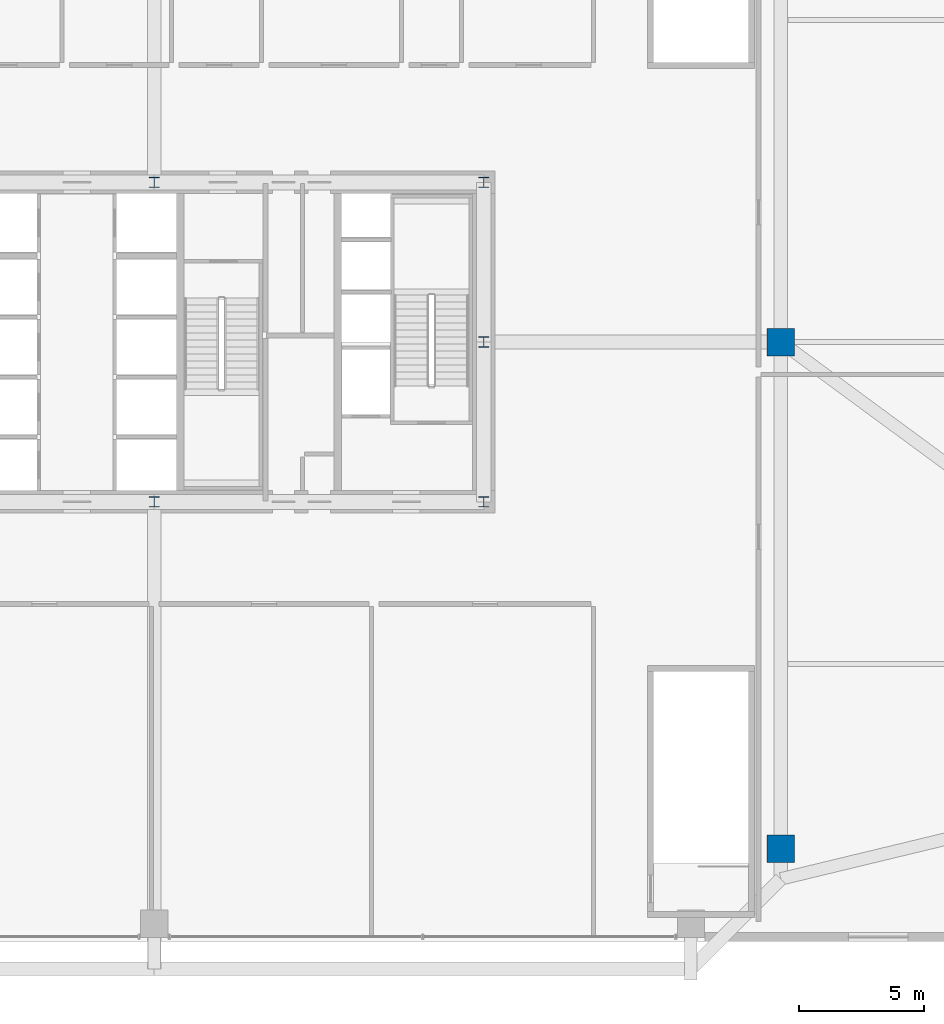
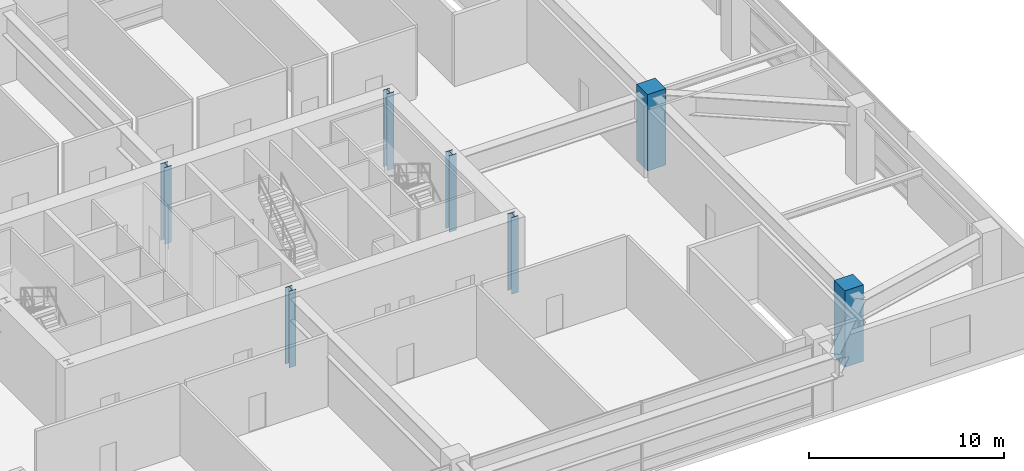
# One storey, part 2 of 34: 7 columns.
"""IFC4 building model written with IfcOpenShell, lengths in metres."""

import ifcopenshell
import ifcopenshell.guid

model = None  # the IFC model being written
_history = None  # IfcOwnerHistory: only IFC2X3 demands one
_inside = {}  # id of a spatial element -> (the spatial element, [elements in it])
_under = {}  # id of a project, library or spatial element -> (it, [spatial elements below it])
_declared = {}  # id of a project -> (the project, [libraries it declares])
_typed = {}  # id of a type object -> (the type object, [elements of that type])
_made_of = {}  # id of a material, layer set ... -> (it, [elements and type objects made of it])


def new_model(schema):
    """Start an empty IFC model of exactly this schema.

    Asked for "IFC4X3", IfcOpenShell would pick the latest addendum, in which some entities
    have other attributes; the version numbers below select the first issue.
    IFC2X3 requires an IfcOwnerHistory on every rooted entity: one is made here for all.
    """
    global model, _history
    if schema == "IFC4X3":
        model = ifcopenshell.file(schema_version=(4, 3, 0, 0))
    else:
        model = ifcopenshell.file(schema=schema)
    _inside.clear()
    _under.clear()
    _declared.clear()
    _typed.clear()
    _made_of.clear()
    _history = None
    if model.schema == "IFC2X3":
        org = make("IfcOrganization", Name="unknown")
        user = make(
            "IfcPersonAndOrganization",
            ThePerson=make("IfcPerson", FamilyName="unknown"),
            TheOrganization=org,
        )
        app = make(
            "IfcApplication",
            ApplicationDeveloper=org,
            Version="unknown",
            ApplicationFullName="unknown",
            ApplicationIdentifier="unknown",
        )
        _history = make(
            "IfcOwnerHistory",
            OwningUser=user,
            OwningApplication=app,
            ChangeAction="ADDED",
            CreationDate=0,
        )
    return model


def make(cls, **values):
    """One entity of the class cls with the attributes given. An attribute that is None is left unset."""
    return model.create_entity(
        cls, **{name: value for name, value in values.items() if value is not None}
    )


def rooted(cls, **values):
    """An entity with a GlobalId (a new one), such as an element, a storey or a relation."""
    return make(cls, GlobalId=ifcopenshell.guid.new(), OwnerHistory=_history, **values)


def si_unit(unit_type, name, prefix=None):
    """IfcSIUnit, for example si_unit("LENGTHUNIT", "METRE", prefix="MILLI")."""
    return make("IfcSIUnit", UnitType=unit_type, Prefix=prefix, Name=name)


def assignment(units):
    """IfcUnitAssignment: the units of a project."""
    return None if units is None else make("IfcUnitAssignment", Units=units)


def point(xyz):
    """IfcCartesianPoint."""
    return None if xyz is None else make("IfcCartesianPoint", Coordinates=xyz)


def direction(xyz):
    """IfcDirection."""
    return None if xyz is None else make("IfcDirection", DirectionRatios=xyz)


def frame(location, z_axis=None, x_axis=None):
    """IfcAxis2Placement3D, a coordinate frame: its origin and axes. An axis left out is left unset."""
    return make(
        "IfcAxis2Placement3D",
        Location=point(location),
        Axis=direction(z_axis),
        RefDirection=direction(x_axis),
    )


def frame_2d(location, x_axis=None):
    """IfcAxis2Placement2D, a coordinate frame in the plane: its origin and x axis."""
    return make(
        "IfcAxis2Placement2D", Location=point(location), RefDirection=direction(x_axis)
    )


def origin():
    """The frame at (0, 0, 0) with its axes left unset."""
    return frame((0.0, 0.0, 0.0))


def origin_2d():
    """The frame at (0, 0) in the plane with its x axis left unset."""
    return frame_2d((0.0, 0.0))


def place(relative_to, where):
    """IfcLocalPlacement: puts the frame where relative to a parent placement (None: the world)."""
    return make(
        "IfcLocalPlacement", PlacementRelTo=relative_to, RelativePlacement=where
    )


def context(
    kind, dimensions, precision=None, world=None, true_north=None, identifier=None
):
    """IfcGeometricRepresentationContext, for example the 3D "Model" context."""
    return make(
        "IfcGeometricRepresentationContext",
        ContextIdentifier=identifier,
        ContextType=kind,
        CoordinateSpaceDimension=dimensions,
        Precision=precision,
        WorldCoordinateSystem=world,
        TrueNorth=true_north,
    )


def subcontext(parent, identifier, kind, view, scale=None):
    """IfcGeometricRepresentationSubContext, for example "Body" below "Model"."""
    return make(
        "IfcGeometricRepresentationSubContext",
        ContextIdentifier=identifier,
        ContextType=kind,
        ParentContext=parent,
        TargetScale=scale,
        TargetView=view,
    )


def project(units=None, contexts=None):
    """IfcProject with its units and contexts."""
    return rooted(
        "IfcProject",
        Name="project",
        RepresentationContexts=contexts,
        UnitsInContext=assignment(units),
    )


def spatial(cls, under=None, at=None, **own):
    """A site, building, storey or space (cls), placed at a placement, below another one or the project."""
    s = rooted(cls, ObjectPlacement=at, **own)
    if under is not None:
        _under.setdefault(under.id(), (under, []))[1].append(s)
    return s


def profile(cls, at=None, kind="AREA", **sizes):
    """A parametric profile (cls). Its sizes go by their IFC names, for example OverallWidth=200.0."""
    return make(cls, ProfileType=kind, Position=at, **sizes)


def rectangle(**sizes):
    """IfcRectangleProfileDef."""
    return profile("IfcRectangleProfileDef", **sizes)


def i_section(**sizes):
    """IfcIShapeProfileDef."""
    return profile("IfcIShapeProfileDef", **sizes)


def extrude(swept, where, along, depth):
    """IfcExtrudedAreaSolid: the profile swept, set in the frame where, extruded along a direction by depth."""
    return make(
        "IfcExtrudedAreaSolid",
        SweptArea=swept,
        Position=where,
        ExtrudedDirection=direction(along),
        Depth=depth,
    )


def shape(context_of_items, identifier, shape_type, items):
    """IfcShapeRepresentation: the items that make up one representation, for example the "Body"."""
    return make(
        "IfcShapeRepresentation",
        ContextOfItems=context_of_items,
        RepresentationIdentifier=identifier,
        RepresentationType=shape_type,
        Items=items,
    )


def source(mapping_origin, context_of_items, identifier, shape_type, items):
    """IfcRepresentationMap: a shape defined once, which mapped items show again and again."""
    return make(
        "IfcRepresentationMap",
        MappingOrigin=mapping_origin,
        MappedRepresentation=shape(context_of_items, identifier, shape_type, items),
    )


def transform(
    local_origin,
    x_axis=None,
    y_axis=None,
    z_axis=None,
    scale=None,
    scale2=None,
    scale3=None,
    uniform=True,
):
    """IfcCartesianTransformationOperator3D, or its non-uniform kind. x_axis, y_axis, z_axis: its Axis1, 2, 3."""
    if uniform:
        return make(
            "IfcCartesianTransformationOperator3D",
            Axis1=direction(x_axis),
            Axis2=direction(y_axis),
            LocalOrigin=point(local_origin),
            Scale=scale,
            Axis3=direction(z_axis),
        )
    return make(
        "IfcCartesianTransformationOperator3DnonUniform",
        Axis1=direction(x_axis),
        Axis2=direction(y_axis),
        LocalOrigin=point(local_origin),
        Scale=scale,
        Axis3=direction(z_axis),
        Scale2=scale2,
        Scale3=scale3,
    )


def mapped(mapping_source, mapping_target):
    """IfcMappedItem: shows the shape of a source again, moved by a transform."""
    return make(
        "IfcMappedItem", MappingSource=mapping_source, MappingTarget=mapping_target
    )


def material(Name=None, Category=None):
    """IfcMaterial."""
    return make("IfcMaterial", Name=Name, Category=Category)


def material_profile(
    of_material, cross_section, Name=None, Category=None, Priority=None
):
    """IfcMaterialProfile: a cross section and its material."""
    return make(
        "IfcMaterialProfile",
        Name=Name,
        Material=of_material,
        Profile=cross_section,
        Priority=Priority,
        Category=Category,
    )


def profile_set(profiles, Name=None, composite=None):
    """IfcMaterialProfileSet."""
    return make(
        "IfcMaterialProfileSet",
        Name=Name,
        MaterialProfiles=profiles,
        CompositeProfile=composite,
    )


def made_of(thing, what):
    """Note that an element or type object is made of a material, layer set ...; save() writes the relation."""
    if what is not None:
        _made_of.setdefault(what.id(), (what, []))[1].append(thing)
    return thing


def type_object(cls, material=None, **own):
    """A type object (cls), such as IfcWallType, which elements share."""
    return made_of(rooted(cls, **own), material)


def element(
    cls,
    number,
    at=None,
    inside=None,
    cuts=None,
    type_object=None,
    material=None,
    context=None,
    identifier="Body",
    shape_type=None,
    held_by="IfcProductDefinitionShape",
    body=None,
    shapes=None,
    **own,
):
    """One element of the class cls, such as IfcWall. Its Tag is "e" and its number.

    at: its placement. inside: the storey or other place that contains it. cuts: it is an
    opening in that element (IfcRelVoidsElement). A single representation is given by context,
    identifier, shape_type and body (its items); several are given by shapes. held_by: the class
    of the entity that holds the representations. save() writes the other relations.
    """
    e = rooted(cls, Tag="e%d" % number, ObjectPlacement=at, **own)
    if body is not None:
        shapes = [shape(context, identifier, shape_type, body)]
    if shapes is not None:
        e.Representation = make(held_by, Representations=shapes)
    if inside is not None:
        _inside.setdefault(inside.id(), (inside, []))[1].append(e)
    if cuts is not None:
        rooted(
            "IfcRelVoidsElement", RelatingBuildingElement=cuts, RelatedOpeningElement=e
        )
    if type_object is not None:
        _typed.setdefault(type_object.id(), (type_object, []))[1].append(e)
    return made_of(e, material)


def aggregate(whole, parts):
    """IfcRelAggregates: a whole, such as a stair, and the parts it consists of."""
    return rooted("IfcRelAggregates", RelatingObject=whole, RelatedObjects=parts)


def save(model, path):
    """Write the relations noted so far, then the file.

    IfcRelAggregates (storeys below a building ...), IfcRelContainedInSpatialStructure (elements
    in a storey), IfcRelDefinesByType, IfcRelAssociatesMaterial and IfcRelDeclares: one each for
    every whole, place, type object, material and project.
    """
    for whole, parts in _under.values():
        aggregate(whole, parts)
    for where, things in _inside.values():
        rooted(
            "IfcRelContainedInSpatialStructure",
            RelatedElements=things,
            RelatingStructure=where,
        )
    for kind, things in _typed.values():
        rooted("IfcRelDefinesByType", RelatedObjects=things, RelatingType=kind)
    for what, things in _made_of.values():
        rooted("IfcRelAssociatesMaterial", RelatedObjects=things, RelatingMaterial=what)
    for by, libraries in _declared.values():
        rooted("IfcRelDeclares", RelatingContext=by, RelatedDefinitions=libraries)
    model.write(path)


model = new_model("IFC4")

# Units and contexts
model_context = context("Model", 3, precision=1e-05, world=origin(), true_north=direction((0.0, 1.0)))
body_context = subcontext(model_context, "Body", "Model", "MODEL_VIEW")
ifc_project = project(units=[si_unit("LENGTHUNIT", "METRE"), si_unit("AREAUNIT", "SQUARE_METRE"), si_unit("VOLUMEUNIT", "CUBIC_METRE"), si_unit("PLANEANGLEUNIT", "RADIAN"), si_unit("MASSUNIT", "GRAM", prefix="KILO"), si_unit("THERMODYNAMICTEMPERATUREUNIT", "KELVIN"), si_unit("POWERUNIT", "WATT")], contexts=[model_context])

# Site, building, storey
site_placement = place(None, origin())
site = spatial("IfcSite", under=ifc_project, at=site_placement, CompositionType="ELEMENT")
building_placement = place(site_placement, origin())
building = spatial("IfcBuilding", under=site, at=building_placement, Name="Yuzanri Waterfront Tower", CompositionType="ELEMENT")
storey_placement = place(building_placement, frame((0.0, 0.0, 25.800048828125)))
storey = spatial("IfcBuildingStorey", under=building, at=storey_placement, Name="L06", CompositionType="ELEMENT", Elevation=25.800048828125)

# Columns
ifc_material_1 = material(Name="Steel Q355B", Category="steel")
ifc_material_profile_1 = material_profile(ifc_material_1, i_section(OverallWidth=0.406982421875, OverallDepth=0.427978515625, WebThickness=0.02001953125, FlangeThickness=0.034912109375, at=origin_2d()), Name="HW 428x407x20x35")
ifc_profile_set_1 = profile_set([ifc_material_profile_1], Name="Steel Q355B")
column_type_1 = type_object("IfcColumnType", Name="Core Post Q355B HW 428x407x20x35", PredefinedType="COLUMN", material=ifc_profile_set_1)
shared_shape_1 = source(origin(), body_context, "Body", "SweptSolid", [
    extrude(i_section(OverallWidth=0.406982421875, OverallDepth=0.427978515625, WebThickness=0.02001953125, FlangeThickness=0.034912109375, at=origin_2d()), origin(), (0.0, 0.0, 1.0), 4.800048828125),
])
for number, where, z_axis, x_axis, name in (
    (1, (37.0, 19.39990234375, 0.0), (0.0, 0.0, 1.0), (1.0, 0.0, 0.0), "L06 Core Boundary Column CP2"),
    (2, (50.199951171875, 19.39990234375, 0.0), (0.0, 0.0, 1.0), (1.0, 0.0, 0.0), "L06 Core Boundary Column CP3"),
    (3, (50.199951171875, 25.800048828125, 0.0), (0.0, 0.0, 1.0), (1.0, 0.0, 0.0), "L06 Core Boundary Column CP5"),
    (4, (37.0, 32.199951171875, 0.0), (0.0, 0.0, 1.0), (1.0, 0.0, 0.0), "L06 Core Boundary Column CP7"),
    (5, (50.199951171875, 32.199951171875, 0.0), (0.0, 0.0, 1.0), (1.0, 0.0, 0.0), "L06 Core Boundary Column CP8"),
):
    element("IfcColumn", number, at=place(storey_placement, frame(where, z_axis=z_axis, x_axis=x_axis)), inside=storey, type_object=column_type_1, Name=name, PredefinedType="COLUMN", context=body_context, shape_type="MappedRepresentation", body=[
        mapped(shared_shape_1, transform((0.0, 0.0, 0.0), scale=1.0)),
    ])
ifc_material_2 = material(Name="Concrete C50", Category="concrete")
ifc_material_profile_2 = material_profile(ifc_material_2, rectangle(XDim=1.10009765625, YDim=1.10009765625, at=origin_2d()), Name="RC 1100x1100")
ifc_profile_set_2 = profile_set([ifc_material_profile_2], Name="Concrete C50")
column_type_2 = type_object("IfcColumnType", Name="Podium RC Column C50 1100x1100", PredefinedType="COLUMN", material=ifc_profile_set_2)
shared_shape_2 = source(origin(), body_context, "Body", "SweptSolid", [
    extrude(rectangle(XDim=1.10009765625, YDim=1.10009765625, at=origin_2d()), origin(), (0.0, 0.0, 1.0), 4.800048828125),
])
for number, where, z_axis, x_axis, name in (
    (6, (62.10009765625, 5.5, 0.0), (0.0, 0.0, 1.0), (1.0, 0.0, 0.0), "L06 Podium Column PTE1"),
    (7, (62.10009765625, 25.800048828125, 0.0), (0.0, 0.0, 1.0), (1.0, 0.0, 0.0), "L06 Podium Column PTE2"),
):
    element("IfcColumn", number, at=place(storey_placement, frame(where, z_axis=z_axis, x_axis=x_axis)), inside=storey, type_object=column_type_2, Name=name, PredefinedType="COLUMN", context=body_context, shape_type="MappedRepresentation", body=[
        mapped(shared_shape_2, transform((0.0, 0.0, 0.0), scale=1.0)),
    ])

save(model, "model.ifc")
